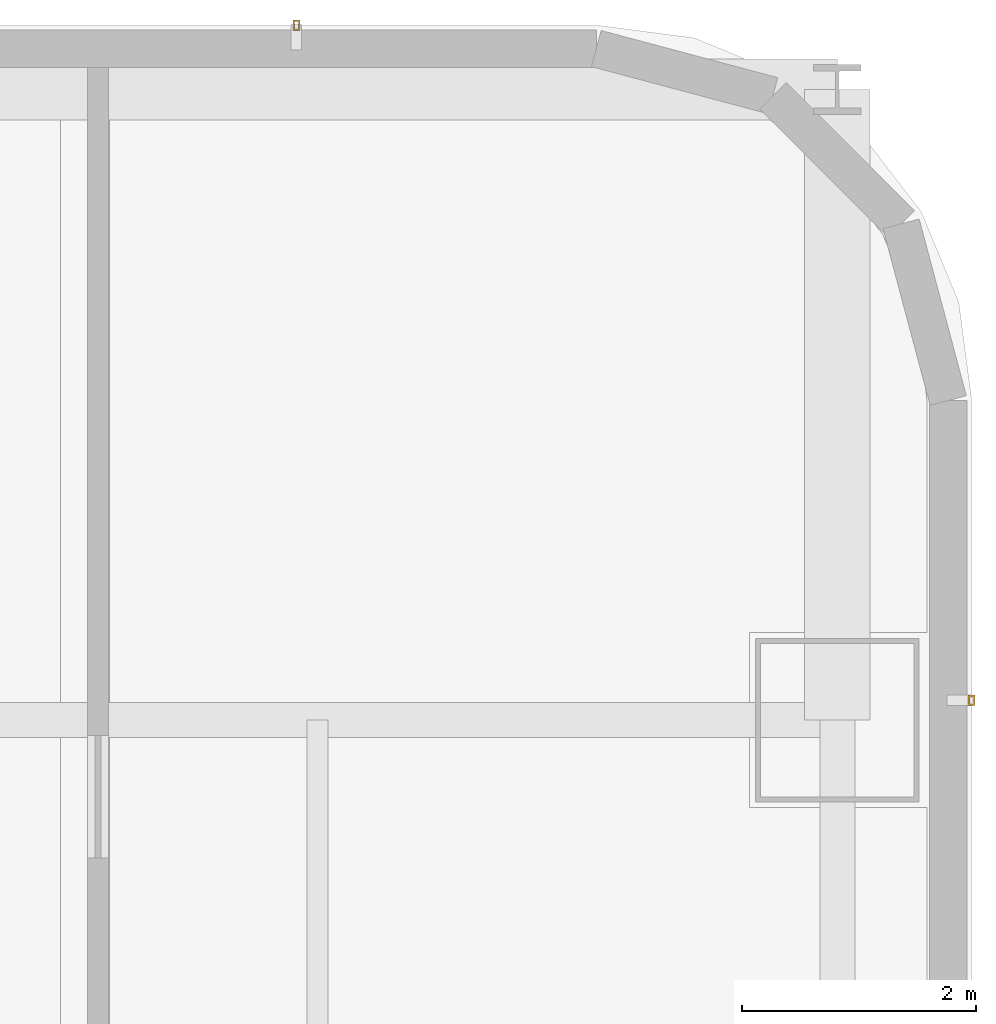
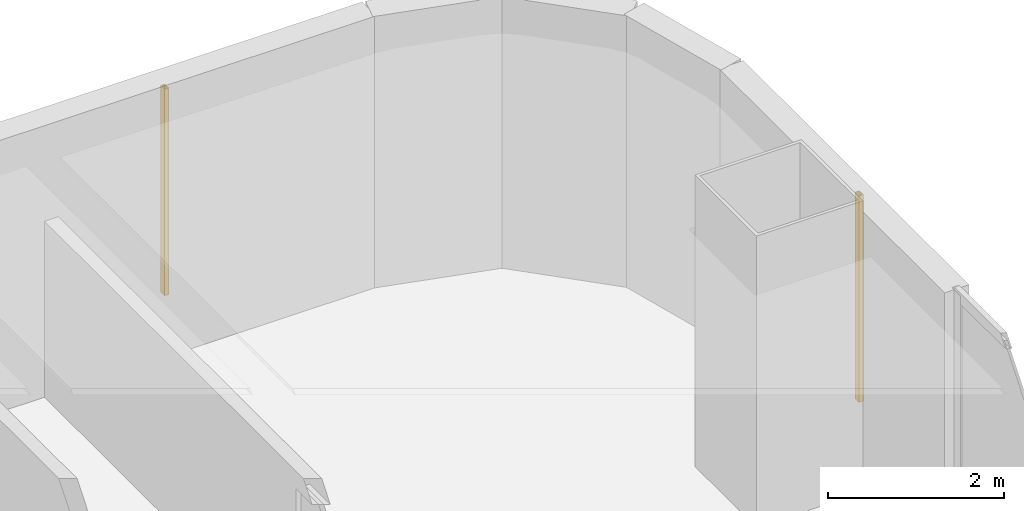
# One storey, part 47 of 47: 2 shading devices.
"""IFC4 building model written with IfcOpenShell, lengths in metres."""

import ifcopenshell
import ifcopenshell.guid

model = None  # the IFC model being written
_history = None  # IfcOwnerHistory: only IFC2X3 demands one
_inside = {}  # id of a spatial element -> (the spatial element, [elements in it])
_under = {}  # id of a project, library or spatial element -> (it, [spatial elements below it])
_declared = {}  # id of a project -> (the project, [libraries it declares])
_typed = {}  # id of a type object -> (the type object, [elements of that type])
_made_of = {}  # id of a material, layer set ... -> (it, [elements and type objects made of it])


def new_model(schema):
    """Start an empty IFC model of exactly this schema.

    Asked for "IFC4X3", IfcOpenShell would pick the latest addendum, in which some entities
    have other attributes; the version numbers below select the first issue.
    IFC2X3 requires an IfcOwnerHistory on every rooted entity: one is made here for all.
    """
    global model, _history
    if schema == "IFC4X3":
        model = ifcopenshell.file(schema_version=(4, 3, 0, 0))
    else:
        model = ifcopenshell.file(schema=schema)
    _inside.clear()
    _under.clear()
    _declared.clear()
    _typed.clear()
    _made_of.clear()
    _history = None
    if model.schema == "IFC2X3":
        org = make("IfcOrganization", Name="unknown")
        user = make(
            "IfcPersonAndOrganization",
            ThePerson=make("IfcPerson", FamilyName="unknown"),
            TheOrganization=org,
        )
        app = make(
            "IfcApplication",
            ApplicationDeveloper=org,
            Version="unknown",
            ApplicationFullName="unknown",
            ApplicationIdentifier="unknown",
        )
        _history = make(
            "IfcOwnerHistory",
            OwningUser=user,
            OwningApplication=app,
            ChangeAction="ADDED",
            CreationDate=0,
        )
    return model


def make(cls, **values):
    """One entity of the class cls with the attributes given. An attribute that is None is left unset."""
    return model.create_entity(
        cls, **{name: value for name, value in values.items() if value is not None}
    )


def rooted(cls, **values):
    """An entity with a GlobalId (a new one), such as an element, a storey or a relation."""
    return make(cls, GlobalId=ifcopenshell.guid.new(), OwnerHistory=_history, **values)


def si_unit(unit_type, name, prefix=None):
    """IfcSIUnit, for example si_unit("LENGTHUNIT", "METRE", prefix="MILLI")."""
    return make("IfcSIUnit", UnitType=unit_type, Prefix=prefix, Name=name)


def assignment(units):
    """IfcUnitAssignment: the units of a project."""
    return None if units is None else make("IfcUnitAssignment", Units=units)


def point(xyz):
    """IfcCartesianPoint."""
    return None if xyz is None else make("IfcCartesianPoint", Coordinates=xyz)


def direction(xyz):
    """IfcDirection."""
    return None if xyz is None else make("IfcDirection", DirectionRatios=xyz)


def frame(location, z_axis=None, x_axis=None):
    """IfcAxis2Placement3D, a coordinate frame: its origin and axes. An axis left out is left unset."""
    return make(
        "IfcAxis2Placement3D",
        Location=point(location),
        Axis=direction(z_axis),
        RefDirection=direction(x_axis),
    )


def frame_2d(location, x_axis=None):
    """IfcAxis2Placement2D, a coordinate frame in the plane: its origin and x axis."""
    return make(
        "IfcAxis2Placement2D", Location=point(location), RefDirection=direction(x_axis)
    )


def origin():
    """The frame at (0, 0, 0) with its axes left unset."""
    return frame((0.0, 0.0, 0.0))


def origin_2d():
    """The frame at (0, 0) in the plane with its x axis left unset."""
    return frame_2d((0.0, 0.0))


def place(relative_to, where):
    """IfcLocalPlacement: puts the frame where relative to a parent placement (None: the world)."""
    return make(
        "IfcLocalPlacement", PlacementRelTo=relative_to, RelativePlacement=where
    )


def context(
    kind, dimensions, precision=None, world=None, true_north=None, identifier=None
):
    """IfcGeometricRepresentationContext, for example the 3D "Model" context."""
    return make(
        "IfcGeometricRepresentationContext",
        ContextIdentifier=identifier,
        ContextType=kind,
        CoordinateSpaceDimension=dimensions,
        Precision=precision,
        WorldCoordinateSystem=world,
        TrueNorth=true_north,
    )


def subcontext(parent, identifier, kind, view, scale=None):
    """IfcGeometricRepresentationSubContext, for example "Body" below "Model"."""
    return make(
        "IfcGeometricRepresentationSubContext",
        ContextIdentifier=identifier,
        ContextType=kind,
        ParentContext=parent,
        TargetScale=scale,
        TargetView=view,
    )


def project(units=None, contexts=None):
    """IfcProject with its units and contexts."""
    return rooted(
        "IfcProject",
        Name="project",
        RepresentationContexts=contexts,
        UnitsInContext=assignment(units),
    )


def spatial(cls, under=None, at=None, **own):
    """A site, building, storey or space (cls), placed at a placement, below another one or the project."""
    s = rooted(cls, ObjectPlacement=at, **own)
    if under is not None:
        _under.setdefault(under.id(), (under, []))[1].append(s)
    return s


def profile(cls, at=None, kind="AREA", **sizes):
    """A parametric profile (cls). Its sizes go by their IFC names, for example OverallWidth=200.0."""
    return make(cls, ProfileType=kind, Position=at, **sizes)


def hollow_rectangle(**sizes):
    """IfcRectangleHollowProfileDef."""
    return profile("IfcRectangleHollowProfileDef", **sizes)


def extrude(swept, where, along, depth):
    """IfcExtrudedAreaSolid: the profile swept, set in the frame where, extruded along a direction by depth."""
    return make(
        "IfcExtrudedAreaSolid",
        SweptArea=swept,
        Position=where,
        ExtrudedDirection=direction(along),
        Depth=depth,
    )


def shape(context_of_items, identifier, shape_type, items):
    """IfcShapeRepresentation: the items that make up one representation, for example the "Body"."""
    return make(
        "IfcShapeRepresentation",
        ContextOfItems=context_of_items,
        RepresentationIdentifier=identifier,
        RepresentationType=shape_type,
        Items=items,
    )


def material(Name=None, Category=None):
    """IfcMaterial."""
    return make("IfcMaterial", Name=Name, Category=Category)


def material_profile(
    of_material, cross_section, Name=None, Category=None, Priority=None
):
    """IfcMaterialProfile: a cross section and its material."""
    return make(
        "IfcMaterialProfile",
        Name=Name,
        Material=of_material,
        Profile=cross_section,
        Priority=Priority,
        Category=Category,
    )


def profile_set(profiles, Name=None, composite=None):
    """IfcMaterialProfileSet."""
    return make(
        "IfcMaterialProfileSet",
        Name=Name,
        MaterialProfiles=profiles,
        CompositeProfile=composite,
    )


def made_of(thing, what):
    """Note that an element or type object is made of a material, layer set ...; save() writes the relation."""
    if what is not None:
        _made_of.setdefault(what.id(), (what, []))[1].append(thing)
    return thing


def type_object(cls, material=None, **own):
    """A type object (cls), such as IfcWallType, which elements share."""
    return made_of(rooted(cls, **own), material)


def element(
    cls,
    number,
    at=None,
    inside=None,
    cuts=None,
    type_object=None,
    material=None,
    context=None,
    identifier="Body",
    shape_type=None,
    held_by="IfcProductDefinitionShape",
    body=None,
    shapes=None,
    **own,
):
    """One element of the class cls, such as IfcWall. Its Tag is "e" and its number.

    at: its placement. inside: the storey or other place that contains it. cuts: it is an
    opening in that element (IfcRelVoidsElement). A single representation is given by context,
    identifier, shape_type and body (its items); several are given by shapes. held_by: the class
    of the entity that holds the representations. save() writes the other relations.
    """
    e = rooted(cls, Tag="e%d" % number, ObjectPlacement=at, **own)
    if body is not None:
        shapes = [shape(context, identifier, shape_type, body)]
    if shapes is not None:
        e.Representation = make(held_by, Representations=shapes)
    if inside is not None:
        _inside.setdefault(inside.id(), (inside, []))[1].append(e)
    if cuts is not None:
        rooted(
            "IfcRelVoidsElement", RelatingBuildingElement=cuts, RelatedOpeningElement=e
        )
    if type_object is not None:
        _typed.setdefault(type_object.id(), (type_object, []))[1].append(e)
    return made_of(e, material)


def aggregate(whole, parts):
    """IfcRelAggregates: a whole, such as a stair, and the parts it consists of."""
    return rooted("IfcRelAggregates", RelatingObject=whole, RelatedObjects=parts)


def save(model, path):
    """Write the relations noted so far, then the file.

    IfcRelAggregates (storeys below a building ...), IfcRelContainedInSpatialStructure (elements
    in a storey), IfcRelDefinesByType, IfcRelAssociatesMaterial and IfcRelDeclares: one each for
    every whole, place, type object, material and project.
    """
    for whole, parts in _under.values():
        aggregate(whole, parts)
    for where, things in _inside.values():
        rooted(
            "IfcRelContainedInSpatialStructure",
            RelatedElements=things,
            RelatingStructure=where,
        )
    for kind, things in _typed.values():
        rooted("IfcRelDefinesByType", RelatedObjects=things, RelatingType=kind)
    for what, things in _made_of.values():
        rooted("IfcRelAssociatesMaterial", RelatedObjects=things, RelatingMaterial=what)
    for by, libraries in _declared.values():
        rooted("IfcRelDeclares", RelatingContext=by, RelatedDefinitions=libraries)
    model.write(path)


model = new_model("IFC4")

# Units and contexts
model_context = context("Model", 3, precision=1e-05, world=origin(), true_north=direction((0.0, 1.0)))
body_context = subcontext(model_context, "Body", "Model", "MODEL_VIEW")
ifc_project = project(units=[si_unit("LENGTHUNIT", "METRE"), si_unit("AREAUNIT", "SQUARE_METRE"), si_unit("VOLUMEUNIT", "CUBIC_METRE"), si_unit("PLANEANGLEUNIT", "RADIAN"), si_unit("MASSUNIT", "GRAM", prefix="KILO")], contexts=[model_context])

# Site, building, storey
site_placement = place(None, origin())
site = spatial("IfcSite", under=ifc_project, at=site_placement, CompositionType="ELEMENT")
building_placement = place(site_placement, origin())
building = spatial("IfcBuilding", under=site, at=building_placement, Name="Punatoya Terracotta Tower", CompositionType="ELEMENT")
storey_placement = place(building_placement, frame((0.0, 0.0, 168.14990234375)))
storey = spatial("IfcBuildingStorey", under=building, at=storey_placement, Name="L39", CompositionType="ELEMENT", Elevation=168.14990234375)

# Shading devices
ifc_material = material(Name="Architectural Fired Terracotta", Category="masonry")
ifc_material_profile = material_profile(ifc_material, hollow_rectangle(XDim=0.06005859375, YDim=0.090087890625, WallThickness=0.013916015625, at=origin_2d()))
ifc_profile_set = profile_set([ifc_material_profile], Name="Architectural Fired Terracotta")
shading_device_type = type_object("IfcShadingDeviceType", Name="SHD-JALI-90", PredefinedType="JALOUSIE", material=ifc_profile_set)
for number, where, z_axis, x_axis, name in (
    (1, (20.25, 17.66845703125, 0.60009765625), (0.0, 0.0, 1.0), (1.0, 0.0, 0.0), "L39 Braced Bay Terracotta Jali Fin E2"),
    (2, (14.468505859375, 23.449951171875, 0.60009765625), (0.0, 0.0, 1.0), (1.0, 0.0, 0.0), "L39 Braced Bay Terracotta Jali Fin N1"),
):
    element("IfcShadingDevice", number, at=place(storey_placement, frame(where, z_axis=z_axis, x_axis=x_axis)), inside=storey, type_object=shading_device_type, Name=name, PredefinedType="JALOUSIE", context=body_context, shape_type="SweptSolid", body=[
        extrude(hollow_rectangle(XDim=0.06005859375, YDim=0.090087890625, WallThickness=0.013916015625, at=origin_2d()), origin(), (0.0, 0.0, 1.0), 2.8701171875),
    ])

save(model, "model.ifc")
